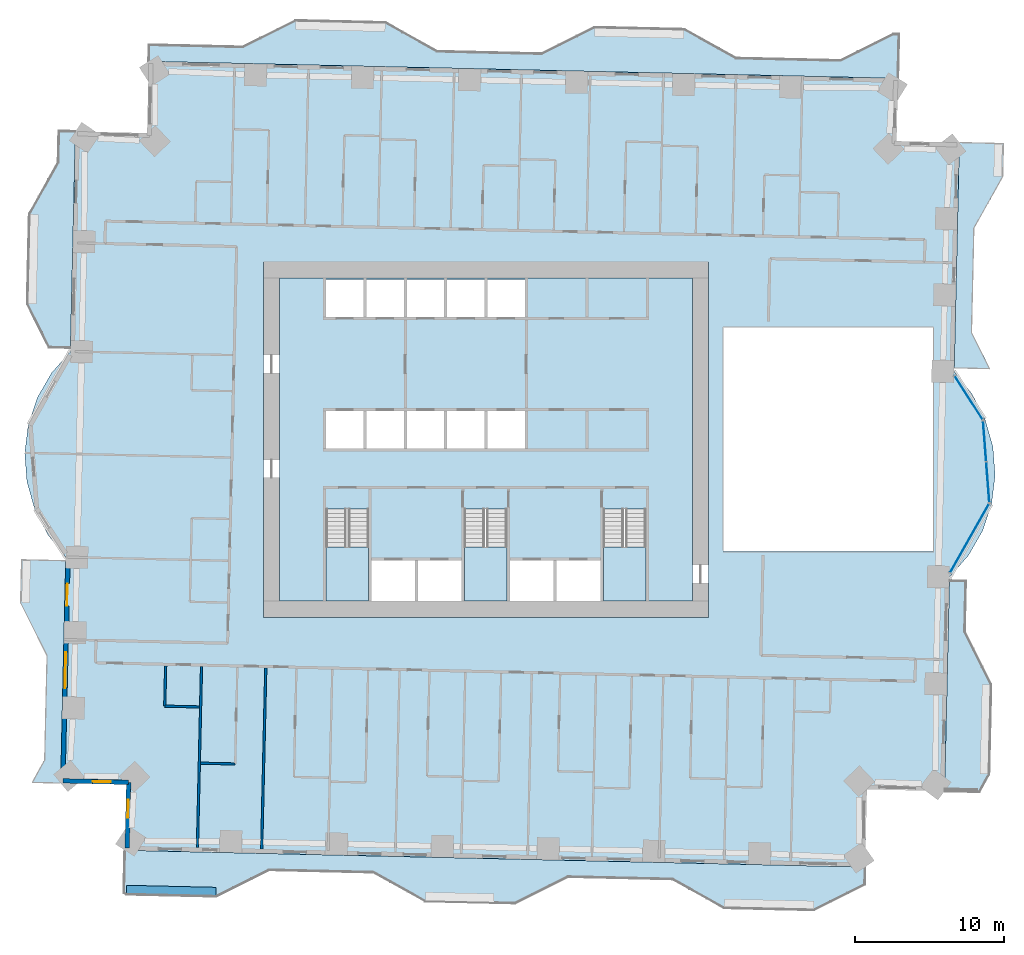
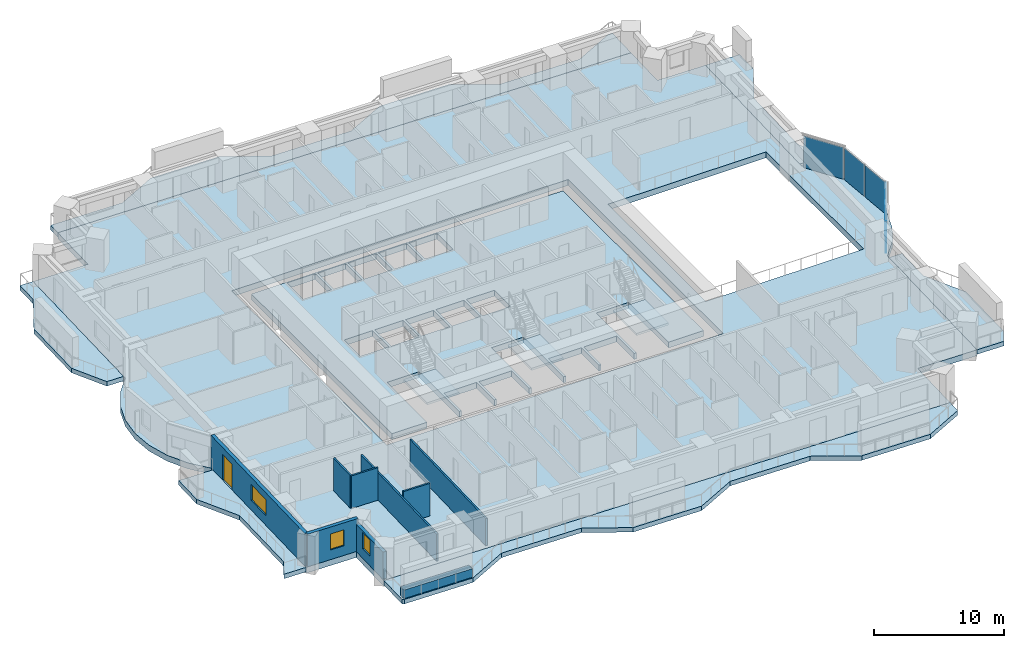
# One storey, part 7 of 20: 11 slabs, 9 walls, 4 plates, 3 windows, 1 door, 4 openings, 6 elements without a shape of their own.
"""IFC4 building model written with IfcOpenShell, lengths in metres."""

from ifc_helpers import new_model, si_unit, direction, frame, frame_2d, origin, origin_2d, place, context, subcontext, project, spatial, polyline, rectangle, outline, extrude, material, layer, layer_set, type_object, element, fill, aggregate, save


model = new_model("IFC4")

# Units and contexts
model_context = context("Model", 3, precision=1e-05, world=origin(), true_north=direction((0.0, 1.0)))
body_context = subcontext(model_context, "Body", "Model", "MODEL_VIEW")
ifc_project = project(units=[si_unit("LENGTHUNIT", "METRE"), si_unit("AREAUNIT", "SQUARE_METRE"), si_unit("VOLUMEUNIT", "CUBIC_METRE"), si_unit("PLANEANGLEUNIT", "RADIAN"), si_unit("MASSUNIT", "GRAM", prefix="KILO")], contexts=[model_context])

# Site, building, storey
site_placement = place(None, origin())
site = spatial("IfcSite", under=ifc_project, at=site_placement, CompositionType="ELEMENT")
building_placement = place(site_placement, origin())
building = spatial("IfcBuilding", under=site, at=building_placement, Name="Mangrove Gate Tower", CompositionType="ELEMENT")
storey_placement = place(building_placement, frame((0.0, 0.0, 60.300048828125)))
storey = spatial("IfcBuildingStorey", under=building, at=storey_placement, Name="L14", CompositionType="ELEMENT", Elevation=60.300048828125)

# Curtain wall, plate
ifc_material_1 = material(Name="Aluminium and glass curtain wall", Category="aluminium")
curtain_wall_type = type_object("IfcCurtainWallType", Name="Atrium garden-court glazing wall", PredefinedType="NOTDEFINED", material=ifc_material_1)
curtain_wall_1_placement = place(storey_placement, origin())
curtain_wall_1 = element("IfcCurtainWall", 1, at=curtain_wall_1_placement, inside=storey, type_object=curtain_wall_type, Name="Atrium garden-court glazing E1f1", PredefinedType="NOTDEFINED")
ifc_material_2 = material(Name="Laminated low-e glass", Category="glass")
ifc_layer_1 = layer(ifc_material_2, 0.031982421875)
ifc_layer_set_1 = layer_set([ifc_layer_1], Name="Atrium garden-court glazing panel 32")
plate_type = type_object("IfcPlateType", Name="Atrium garden-court glazing panel 32", PredefinedType="CURTAIN_PANEL", material=ifc_layer_set_1)
plate_1_placement = place(storey_placement, frame((32.34912109375, -6.600830078125, 0.0), z_axis=(0.0, 0.0, 1.0), x_axis=(0.492603686489, 0.870253760726, 0.0)))
plate_1 = element("IfcPlate", 2, at=plate_1_placement, type_object=plate_type, Name="CWA panel 1.1", PredefinedType="CURTAIN_PANEL", context=body_context, shape_type="SweptSolid", body=[
    extrude(rectangle(XDim=5.258544921875, YDim=0.031982421875, at=origin_2d()), origin(), (0.0, 0.0, 1.0), 2.97998046875),
])
aggregate(curtain_wall_1, [plate_1])

# Curtain wall, plates
curtain_wall_2_placement = place(storey_placement, origin())
curtain_wall_2 = element("IfcCurtainWall", 3, at=curtain_wall_2_placement, inside=storey, type_object=curtain_wall_type, Name="Atrium garden-court glazing E1f2", PredefinedType="NOTDEFINED")
plate_2_placement = place(storey_placement, frame((33.5703125, -2.84521484375, 0.0), z_axis=(0.0, 0.0, 1.0), x_axis=(-0.077023348212, 0.997029289354, 0.0)))
plate_2 = element("IfcPlate", 4, at=plate_2_placement, type_object=plate_type, Name="CWA panel 1.1", PredefinedType="CURTAIN_PANEL", context=body_context, shape_type="SweptSolid", body=[
    extrude(rectangle(XDim=2.681640625, YDim=0.031982421875, at=origin_2d()), origin(), (0.0, 0.0, 1.0), 2.97998046875),
])
plate_3_placement = place(storey_placement, frame((33.3583984375, -0.1015625, 0.0), z_axis=(0.0, 0.0, 1.0), x_axis=(-0.077023348212, 0.997029289354, 0.0)))
plate_3 = element("IfcPlate", 5, at=plate_3_placement, type_object=plate_type, Name="CWA panel 2.1", PredefinedType="CURTAIN_PANEL", context=body_context, shape_type="SweptSolid", body=[
    extrude(rectangle(XDim=2.681640625, YDim=0.031982421875, at=origin_2d()), origin(), (0.0, 0.0, 1.0), 2.97998046875),
])
aggregate(curtain_wall_2, [plate_2, plate_3])

# Curtain wall, plate
curtain_wall_3_placement = place(storey_placement, origin())
curtain_wall_3 = element("IfcCurtainWall", 6, at=curtain_wall_3_placement, inside=storey, type_object=curtain_wall_type, Name="Atrium garden-court glazing E1f3", PredefinedType="NOTDEFINED")
plate_4_placement = place(storey_placement, frame((32.284912109375, 2.806396484375, 0.0), z_axis=(0.0, 0.0, 1.0), x_axis=(-0.540524576597, 0.841328224948, 0.0)))
plate_4 = element("IfcPlate", 7, at=plate_4_placement, type_object=plate_type, Name="CWA panel 1.1", PredefinedType="CURTAIN_PANEL", context=body_context, shape_type="SweptSolid", body=[
    extrude(rectangle(XDim=3.42919921875, YDim=0.031982421875, at=origin_2d()), origin(), (0.0, 0.0, 1.0), 2.97998046875),
])
aggregate(curtain_wall_3, [plate_4])

# Slabs
ifc_material_3 = material(Name="Porcelain tile")
ifc_layer_2 = layer(ifc_material_3, 0.02001953125, Name="Tile finish")
ifc_material_4 = material(Name="Cement sand screed")
ifc_layer_3 = layer(ifc_material_4, 0.0400390625, Name="Screed laid to falls")
ifc_material_5 = material(Name="Bituminous waterproofing membrane")
ifc_layer_4 = layer(ifc_material_5, 0.00390625, Name="Waterproofing")
ifc_material_6 = material(Name="Concrete C40/50", Category="concrete")
ifc_layer_5 = layer(ifc_material_6, 0.340087890625, Name="Balcony structural slab")
ifc_material_7 = material(Name="Limestone", Category="masonry")
ifc_layer_6 = layer(ifc_material_7, 0.01611328125, Name="Soffit lining")
ifc_layer_set_2 = layer_set([ifc_layer_2, ifc_layer_3, ifc_layer_4, ifc_layer_5, ifc_layer_6], Name="Balcony slab 420 C40/50")
slab_type_1 = type_object("IfcSlabType", Name="Balcony slab 420 C40/50", PredefinedType="FLOOR", material=ifc_layer_set_2)
slab_1_placement = place(storey_placement, frame((0.0, 0.0, -0.420166015625)))
element("IfcSlab", 8, at=slab_1_placement, inside=storey, type_object=slab_type_1, Name="BALCONY L14 E0", PredefinedType="FLOOR", context=body_context, shape_type="SweptSolid", body=[
    extrude(outline(polyline([(33.034912109375, -23.569091796875), (33.696044921875, -22.384033203125), (33.83203125, -16.385009765625), (32.06201171875, -12.843994140625), (32.137939453125, -9.469970703125), (30.9990234375, -9.444091796875), (30.922119140625, -12.818115234375), (30.843017578125, -16.31689453125), (30.70703125, -22.31591796875), (30.678955078125, -23.514892578125), (33.034912109375, -23.569091796875)])), origin(), (0.0, 0.0, 1.0), 0.420166015625),
])
slab_2_placement = place(storey_placement, frame((0.0, 0.0, -0.420166015625)))
element("IfcSlab", 9, at=slab_2_placement, inside=storey, type_object=slab_type_1, Name="BALCONY L14 E1", PredefinedType="FLOOR", context=body_context, shape_type="SweptSolid", body=[
    extrude(outline(polyline([(33.717041015625, 4.748046875), (32.51611328125, 7.15087890625), (32.674072265625, 14.14892578125), (34.60302734375, 17.60595703125), (34.653076171875, 19.805908203125), (31.6640625, 19.873046875), (31.614013671875, 17.674072265625), (31.534912109375, 14.175048828125), (31.3759765625, 7.177001953125), (31.322021484375, 4.802978515625), (33.717041015625, 4.748046875)])), origin(), (0.0, 0.0, 1.0), 0.420166015625),
])
slab_3_placement = place(storey_placement, frame((0.0, 0.0, -0.420166015625)))
element("IfcSlab", 10, at=slab_3_placement, inside=storey, type_object=slab_type_1, Name="BALCONY L14 N0", PredefinedType="FLOOR", context=body_context, shape_type="SweptSolid", body=[
    extrude(outline(polyline([(27.6279296875, 27.156982421875), (27.260009765625, 27.1650390625), (23.718994140625, 25.39501953125), (16.720947265625, 25.553955078125), (13.263916015625, 27.48291015625), (7.264892578125, 27.618896484375), (3.72412109375, 25.84912109375), (-3.27392578125, 26.008056640625), (-6.73095703125, 27.93701171875), (-12.72900390625, 28.072998046875), (-16.27001953125, 26.303955078125), (-22.537109375, 26.445068359375), (-22.56298828125, 25.304931640625), (27.56005859375, 24.16796875), (27.6279296875, 27.156982421875)])), origin(), (0.0, 0.0, 1.0), 0.420166015625),
])
slab_4_placement = place(storey_placement, frame((0.0, 0.0, -0.420166015625)))
element("IfcSlab", 11, at=slab_4_placement, inside=storey, type_object=slab_type_1, Name="BALCONY L14 W0", PredefinedType="FLOOR", context=body_context, shape_type="SweptSolid", body=[
    extrude(outline(polyline([(-28.610107421875, 20.64111328125), (-28.657958984375, 18.5419921875), (-30.5869140625, 15.0849609375), (-30.722900390625, 9.0859375), (-29.26904296875, 6.177978515625), (-27.799072265625, 6.14404296875), (-27.73388671875, 9.01806640625), (-27.596923828125, 15.01708984375), (-27.51806640625, 18.51611328125), (-27.469970703125, 20.614990234375), (-28.610107421875, 20.64111328125)])), origin(), (0.0, 0.0, 1.0), 0.420166015625),
])
slab_5_placement = place(storey_placement, frame((0.0, 0.0, -0.420166015625)))
element("IfcSlab", 12, at=slab_5_placement, inside=storey, type_object=slab_type_1, Name="BALCONY L14 W1", PredefinedType="FLOOR", context=body_context, shape_type="SweptSolid", body=[
    extrude(outline(polyline([(-31.111083984375, -8.034912109375), (-31.176025390625, -10.908935546875), (-29.406005859375, -14.449951171875), (-29.56494140625, -21.447998046875), (-30.39208984375, -22.929931640625), (-28.4599609375, -22.97412109375), (-28.425048828125, -21.47412109375), (-28.26708984375, -14.47607421875), (-28.18701171875, -10.97705078125), (-28.1220703125, -8.10302734375), (-31.111083984375, -8.034912109375)])), origin(), (0.0, 0.0, 1.0), 0.420166015625),
])
slab_6_placement = place(storey_placement, frame((0.0, 0.0, -0.420166015625)))
element("IfcSlab", 13, at=slab_6_placement, inside=storey, type_object=slab_type_1, Name="BALCONY L14 S0", PredefinedType="FLOOR", context=body_context, shape_type="SweptSolid", body=[
    extrude(outline(polyline([(-24.22607421875, -30.373046875), (-24.06005859375, -30.465087890625), (-18.06201171875, -30.60107421875), (-14.52099609375, -28.8310546875), (-7.52294921875, -28.989990234375), (-4.06494140625, -30.9189453125), (1.93310546875, -31.054931640625), (5.47412109375, -29.285888671875), (12.471923828125, -29.444091796875), (15.928955078125, -31.373046875), (21.927978515625, -31.509033203125), (25.3349609375, -29.805908203125), (25.363037109375, -28.595947265625), (-24.159912109375, -27.471923828125), (-24.22607421875, -30.373046875)])), origin(), (0.0, 0.0, 1.0), 0.420166015625),
])
ifc_material_8 = material(Name="Concrete C40/50", Category="concrete")
ifc_layer_7 = layer(ifc_material_8, 0.550048828125)
ifc_layer_set_3 = layer_set([ifc_layer_7], Name="Core floor slab 550 C40/50")
slab_type_2 = type_object("IfcSlabType", Name="Core floor slab 550 C40/50", PredefinedType="FLOOR", material=ifc_layer_set_3)
slab_7_placement = place(storey_placement, frame((0.0, 0.0, -0.550048828125)))
element("IfcSlab", 14, at=slab_7_placement, inside=storey, type_object=slab_type_2, Name="SLAB-L14-CORE-1", PredefinedType="FLOOR", context=body_context, shape_type="SweptSolid", body=[
    extrude(outline(polyline([(-13.800048828125, -10.800048828125), (-13.800048828125, 10.800048828125), (13.800048828125, 10.800048828125), (13.800048828125, -10.800048828125), (10.699951171875, -10.800048828125), (10.699951171875, -4.653076171875), (7.85009765625, -4.653076171875), (7.85009765625, -10.800048828125), (7.64990234375, -10.800048828125), (7.64990234375, -8.10009765625), (4.72509765625, -8.10009765625), (4.72509765625, -10.800048828125), (4.52490234375, -10.800048828125), (4.52490234375, -8.10009765625), (1.60009765625, -8.10009765625), (1.60009765625, -10.800048828125), (1.39990234375, -10.800048828125), (1.39990234375, -4.653076171875), (-1.449951171875, -4.653076171875), (-1.449951171875, -10.800048828125), (-1.64990234375, -10.800048828125), (-1.64990234375, -8.10009765625), (-4.550048828125, -8.10009765625), (-4.550048828125, -10.800048828125), (-4.75, -10.800048828125), (-4.75, -8.10009765625), (-7.64990234375, -8.10009765625), (-7.64990234375, -10.800048828125), (-7.85009765625, -10.800048828125), (-7.85009765625, -4.653076171875), (-10.699951171875, -4.653076171875), (-10.699951171875, -10.800048828125), (-13.800048828125, -10.800048828125)]), holes=[polyline([(-8.199951171875, -0.60009765625), (-8.199951171875, 1.89990234375), (-10.699951171875, 1.89990234375), (-10.699951171875, -0.60009765625), (-8.199951171875, -0.60009765625)]), polyline([(-5.5, -0.60009765625), (-5.5, 1.89990234375), (-8.0, 1.89990234375), (-8.0, -0.60009765625), (-5.5, -0.60009765625)]), polyline([(-2.800048828125, -0.60009765625), (-2.800048828125, 1.89990234375), (-5.300048828125, 1.89990234375), (-5.300048828125, -0.60009765625), (-2.800048828125, -0.60009765625)]), polyline([(-8.199951171875, 8.199951171875), (-8.199951171875, 10.699951171875), (-10.699951171875, 10.699951171875), (-10.699951171875, 8.199951171875), (-8.199951171875, 8.199951171875)]), polyline([(-5.5, 8.199951171875), (-5.5, 10.699951171875), (-8.0, 10.699951171875), (-8.0, 8.199951171875), (-5.5, 8.199951171875)]), polyline([(-2.800048828125, 8.199951171875), (-2.800048828125, 10.699951171875), (-5.300048828125, 10.699951171875), (-5.300048828125, 8.199951171875), (-2.800048828125, 8.199951171875)]), polyline([(-0.10009765625, -0.60009765625), (-0.10009765625, 1.89990234375), (-2.60009765625, 1.89990234375), (-2.60009765625, -0.60009765625), (-0.10009765625, -0.60009765625)]), polyline([(2.60009765625, -0.60009765625), (2.60009765625, 1.89990234375), (0.10009765625, 1.89990234375), (0.10009765625, -0.60009765625), (2.60009765625, -0.60009765625)]), polyline([(-2.60009765625, 8.199951171875), (-0.10009765625, 8.199951171875), (-0.10009765625, 10.699951171875), (-2.60009765625, 10.699951171875), (-2.60009765625, 8.199951171875)]), polyline([(0.10009765625, 8.199951171875), (2.60009765625, 8.199951171875), (2.60009765625, 10.699951171875), (0.10009765625, 10.699951171875), (0.10009765625, 8.199951171875)])]), origin(), (0.0, 0.0, 1.0), 0.550048828125),
])

# Stair, slab
ifc_material_9 = material(Name="Concrete C40/50", Category="concrete")
stair_type = type_object("IfcStairType", Name="Core stair 1350", PredefinedType="HALF_TURN_STAIR", material=ifc_material_9)
stair_1_placement = place(storey_placement, origin())
stair_1 = element("IfcStair", 15, at=stair_1_placement, inside=storey, type_object=stair_type, Name="L14 Stair 1", PredefinedType="HALF_TURN_STAIR")
ifc_material_10 = material(Name="Concrete C40/50", Category="concrete")
ifc_layer_8 = layer(ifc_material_10, 0.199951171875)
ifc_layer_set_4 = layer_set([ifc_layer_8], Name="Core stair landing 200")
slab_type_3 = type_object("IfcSlabType", Name="Core stair landing 200", PredefinedType="LANDING", material=ifc_layer_set_4)
slab_8_placement = place(storey_placement, frame((0.0, 0.0, 1.599853515625)))
slab_8 = element("IfcSlab", 16, at=slab_8_placement, type_object=slab_type_3, Name="ST1 landing 1", PredefinedType="LANDING", context=body_context, shape_type="SweptSolid", body=[
    extrude(outline(polyline([(-10.699951171875, -7.169921875), (-10.699951171875, -10.800048828125), (-7.85009765625, -10.800048828125), (-7.85009765625, -7.169921875), (-10.699951171875, -7.169921875)])), origin(), (0.0, 0.0, 1.0), 0.2001953125),
])
aggregate(stair_1, [slab_8])

stair_2_placement = place(storey_placement, origin())
stair_2 = element("IfcStair", 17, at=stair_2_placement, inside=storey, type_object=stair_type, Name="L14 Stair 2", PredefinedType="HALF_TURN_STAIR")
slab_9_placement = place(storey_placement, frame((0.0, 0.0, 1.599853515625)))
slab_9 = element("IfcSlab", 18, at=slab_9_placement, type_object=slab_type_3, Name="ST2 landing 1", PredefinedType="LANDING", context=body_context, shape_type="SweptSolid", body=[
    extrude(outline(polyline([(-1.449951171875, -7.169921875), (-1.449951171875, -10.800048828125), (1.39990234375, -10.800048828125), (1.39990234375, -7.169921875), (-1.449951171875, -7.169921875)])), origin(), (0.0, 0.0, 1.0), 0.2001953125),
])
aggregate(stair_2, [slab_9])

stair_3_placement = place(storey_placement, origin())
stair_3 = element("IfcStair", 19, at=stair_3_placement, inside=storey, type_object=stair_type, Name="L14 Stair 3", PredefinedType="HALF_TURN_STAIR")
slab_10_placement = place(storey_placement, frame((0.0, 0.0, 1.599853515625)))
slab_10 = element("IfcSlab", 20, at=slab_10_placement, type_object=slab_type_3, Name="ST3 landing 1", PredefinedType="LANDING", context=body_context, shape_type="SweptSolid", body=[
    extrude(outline(polyline([(7.85009765625, -7.169921875), (7.85009765625, -10.800048828125), (10.699951171875, -10.800048828125), (10.699951171875, -7.169921875), (7.85009765625, -7.169921875)])), origin(), (0.0, 0.0, 1.0), 0.2001953125),
])
aggregate(stair_3, [slab_10])

# Slab
ifc_material_11 = material(Name="Concrete C40/50", Category="concrete")
ifc_layer_9 = layer(ifc_material_11, 0.550048828125)
ifc_layer_set_5 = layer_set([ifc_layer_9], Name="Floor slab 550 C40/50")
slab_type_4 = type_object("IfcSlabType", Name="Floor slab 550 C40/50", PredefinedType="FLOOR", material=ifc_layer_set_5)
slab_11_placement = place(storey_placement, frame((0.0, 0.0, -0.550048828125)))
element("IfcSlab", 21, at=slab_11_placement, inside=storey, type_object=slab_type_4, Name="Floor slab L14", PredefinedType="FLOOR", context=body_context, shape_type="SweptSolid", body=[
    extrude(outline(polyline([(-24.160400390625, -27.47216796875), (25.36279296875, -28.595947265625), (25.480712890625, -23.3974609375), (30.679443359375, -23.515380859375), (31.00439453125, -9.1943359375), (32.267333984375, -7.7578125), (33.220458984375, -6.099365234375), (33.825927734375, -4.28515625), (34.0595703125, -2.38671875), (33.912353515625, -0.4794921875), (33.389892578125, 1.360595703125), (32.512939453125, 3.060302734375), (31.31640625, 4.552734375), (31.6640625, 19.87353515625), (27.465087890625, 19.96875), (27.560302734375, 24.167724609375), (-22.562744140625, 25.30517578125), (-22.671630859375, 20.50634765625), (-27.470458984375, 20.615234375), (-27.804443359375, 5.894287109375), (-29.0673828125, 4.457763671875), (-30.0205078125, 2.799560546875), (-30.6259765625, 0.985107421875), (-30.859619140625, -0.913330078125), (-30.71240234375, -2.820556640625), (-30.18994140625, -4.660400390625), (-29.31298828125, -6.3603515625), (-28.116455078125, -7.852783203125), (-28.45947265625, -22.9736328125), (-24.060546875, -23.0732421875), (-24.160400390625, -27.47216796875)]), holes=[polyline([(15.89990234375, 7.5), (29.889892578125, 7.5), (29.889892578125, -7.5), (15.89990234375, -7.5), (15.89990234375, 7.5)]), polyline([(-14.89990234375, -11.89990234375), (-14.89990234375, 11.89990234375), (14.89990234375, 11.89990234375), (14.89990234375, -11.89990234375), (-14.89990234375, -11.89990234375)])]), origin(), (0.0, 0.0, 1.0), 0.550048828125),
])

# Wall, openings, door, window
ifc_layer_10 = layer(ifc_material_7, 0.0400390625, Name="Limestone cladding")
ifc_material_12 = material(Name="Ventilated air gap")
ifc_layer_11 = layer(ifc_material_12, 0.0400390625, Name="Ventilated cavity")
ifc_material_13 = material(Name="Mineral wool insulation")
ifc_layer_12 = layer(ifc_material_13, 0.06005859375, Name="Insulation")
ifc_material_14 = material(Name="Breather membrane")
ifc_layer_13 = layer(ifc_material_14, 0.001953125, Name="Breather membrane")
ifc_material_15 = material(Name="Concrete C20/25 blockwork", Category="masonry")
ifc_layer_14 = layer(ifc_material_15, 0.14990234375, Name="Blockwork backing wall")
ifc_material_16 = material(Name="Gypsum plaster")
ifc_layer_15 = layer(ifc_material_16, 0.008056640625, Name="Internal plaster")
ifc_layer_set_6 = layer_set([ifc_layer_10, ifc_layer_11, ifc_layer_12, ifc_layer_13, ifc_layer_14, ifc_layer_15], Name="External wall 300 limestone cladding")
wall_type_1 = type_object("IfcWallType", Name="External wall 300 limestone cladding", PredefinedType="SOLIDWALL", material=ifc_layer_set_6)
wall_1_placement = place(storey_placement, frame((-27.965087890625, -7.802001953125, 0.0), z_axis=(0.0, 0.0, 1.0), x_axis=(-0.02267786199, -0.999742824218, 0.0)))
wall_1 = element("IfcWall", 22, at=wall_1_placement, inside=storey, type_object=wall_type_1, Name="WALL-L14-W10", PredefinedType="SOLIDWALL", context=body_context, shape_type="SweptSolid", body=[
    extrude(rectangle(XDim=15.02880859375, YDim=0.300048828125, at=frame_2d((7.514404296875, 0.0))), origin(), (0.0, 0.0, 1.0), 3.050048828125),
])
opening_1_placement = place(wall_1_placement, frame((1.825927734375, 0.0, 0.0)))
opening_1 = element("IfcOpeningElement", 23, at=opening_1_placement, cuts=wall_1, Name="Opening BD1", PredefinedType="OPENING", context=body_context, shape_type="SweptSolid", body=[
    extrude(rectangle(XDim=1.5, YDim=2.39990234375, at=frame_2d((0.75, 1.199951171875))), frame((0.0, 0.159912109375, 0.0), z_axis=(0.0, -1.0, 0.0), x_axis=(1.0, 0.0, 0.0)), (0.0, 0.0, 1.0), 0.320068359375),
])
opening_2_placement = place(wall_1_placement, frame((6.4169921875, 0.0, 0.89990234375)))
opening_2 = element("IfcOpeningElement", 24, at=opening_2_placement, cuts=wall_1, Name="Opening W2", PredefinedType="OPENING", context=body_context, shape_type="SweptSolid", body=[
    extrude(rectangle(XDim=2.39990234375, YDim=1.5, at=frame_2d((1.199951171875, 0.75))), frame((0.0, 0.159912109375, 0.0), z_axis=(0.0, -1.0, 0.0), x_axis=(1.0, 0.0, 0.0)), (0.0, 0.0, 1.0), 0.320068359375),
])
ifc_material_17 = material(Name="Aluminium frame with laminated clear glass", Category="aluminium")
door_type = type_object("IfcDoorType", Name="Balcony sliding door 1500x2400", OperationType="SLIDING_TO_LEFT", PredefinedType="DOOR", material=ifc_material_17)
door_placement = place(opening_1_placement, origin())
door = element("IfcDoor", 25, at=door_placement, inside=storey, type_object=door_type, Name="DOOR-L14-W10-1", OperationType="SLIDING_TO_LEFT", OverallHeight=2.39990234375, OverallWidth=1.5, PredefinedType="DOOR", context=body_context, shape_type="SweptSolid", body=[
    extrude(rectangle(XDim=1.5, YDim=2.39990234375, at=frame_2d((0.75, 1.199951171875))), frame((0.0, 0.02490234375, 0.0), z_axis=(0.0, -1.0, 0.0), x_axis=(1.0, 0.0, 0.0)), (0.0, 0.0, 1.0), 0.050048828125),
])
fill(opening_1, door)
ifc_material_18 = material(Name="Aluminium frame with double-glazed low-e glass", Category="aluminium")
window_type_1 = type_object("IfcWindowType", Name="Corner room window 2400x1500", PartitioningType="DOUBLE_PANEL_VERTICAL", PredefinedType="WINDOW", material=ifc_material_18)
window_1_placement = place(opening_2_placement, origin())
window_1 = element("IfcWindow", 26, at=window_1_placement, inside=storey, type_object=window_type_1, Name="WIN-L14-W10-2", OverallHeight=1.5, OverallWidth=2.39990234375, PartitioningType="DOUBLE_PANEL_VERTICAL", PredefinedType="WINDOW", context=body_context, shape_type="SweptSolid", body=[
    extrude(rectangle(XDim=2.39990234375, YDim=1.5, at=frame_2d((1.199951171875, 0.75))), frame((0.0, 0.030029296875, 0.0), z_axis=(0.0, -1.0, 0.0), x_axis=(1.0, 0.0, 0.0)), (0.0, 0.0, 1.0), 0.06005859375),
])
fill(opening_2, window_1)

# Wall, opening, window
wall_2_placement = place(storey_placement, frame((-28.305908203125, -22.826904296875, 0.0), z_axis=(0.0, 0.0, 1.0), x_axis=(0.999741204967, -0.022749133868, 0.0)))
wall_2 = element("IfcWall", 27, at=wall_2_placement, inside=storey, type_object=wall_type_1, Name="WALL-L14-S11", PredefinedType="SOLIDWALL", context=body_context, shape_type="SweptSolid", body=[
    extrude(rectangle(XDim=4.400146484375, YDim=0.300048828125, at=frame_2d((2.2001953125, 0.0))), origin(), (0.0, 0.0, 1.0), 3.050048828125),
])
opening_3_placement = place(wall_2_placement, frame((1.99609375, 0.0, 0.89990234375)))
opening_3 = element("IfcOpeningElement", 28, at=opening_3_placement, cuts=wall_2, Name="Opening W1", PredefinedType="OPENING", context=body_context, shape_type="SweptSolid", body=[
    extrude(rectangle(XDim=1.199951171875, YDim=1.5, at=frame_2d((0.60009765625, 0.75))), frame((0.0, 0.159912109375, 0.0), z_axis=(0.0, -1.0, 0.0), x_axis=(1.0, 0.0, 0.0)), (0.0, 0.0, 1.0), 0.320068359375),
])
ifc_material_19 = material(Name="Aluminium frame with double-glazed low-e glass", Category="aluminium")
window_type_2 = type_object("IfcWindowType", Name="Side lite 1200x1500", PartitioningType="SINGLE_PANEL", PredefinedType="WINDOW", material=ifc_material_19)
window_2_placement = place(opening_3_placement, origin())
window_2 = element("IfcWindow", 29, at=window_2_placement, inside=storey, type_object=window_type_2, Name="WIN-L14-S11-1", OverallHeight=1.5, OverallWidth=1.199951171875, PartitioningType="SINGLE_PANEL", PredefinedType="WINDOW", context=body_context, shape_type="SweptSolid", body=[
    extrude(rectangle(XDim=1.199951171875, YDim=1.5, at=frame_2d((0.60009765625, 0.75))), frame((0.0, 0.030029296875, 0.0), z_axis=(0.0, -1.0, 0.0), x_axis=(1.0, 0.0, 0.0)), (0.0, 0.0, 1.0), 0.06005859375),
])
fill(opening_3, window_2)

wall_3_placement = place(storey_placement, frame((-23.906982421875, -22.927001953125, 0.0), z_axis=(0.0, 0.0, 1.0), x_axis=(-0.022749133868, -0.999741204967, 0.0)))
wall_3 = element("IfcWall", 30, at=wall_3_placement, inside=storey, type_object=wall_type_1, Name="WALL-L14-W12", PredefinedType="SOLIDWALL", context=body_context, shape_type="SweptSolid", body=[
    extrude(rectangle(XDim=4.400146484375, YDim=0.300048828125, at=frame_2d((2.2001953125, 0.0))), origin(), (0.0, 0.0, 1.0), 2.550048828125),
])
opening_4_placement = place(wall_3_placement, frame((1.179931640625, 0.0, 0.89990234375)))
opening_4 = element("IfcOpeningElement", 31, at=opening_4_placement, cuts=wall_3, Name="Opening W1", PredefinedType="OPENING", context=body_context, shape_type="SweptSolid", body=[
    extrude(rectangle(XDim=1.199951171875, YDim=1.5, at=frame_2d((0.60009765625, 0.75))), frame((0.0, 0.159912109375, 0.0), z_axis=(0.0, -1.0, 0.0), x_axis=(1.0, 0.0, 0.0)), (0.0, 0.0, 1.0), 0.320068359375),
])
window_3_placement = place(opening_4_placement, origin())
window_3 = element("IfcWindow", 32, at=window_3_placement, inside=storey, type_object=window_type_2, Name="WIN-L14-W12-1", OverallHeight=1.5, OverallWidth=1.199951171875, PartitioningType="SINGLE_PANEL", PredefinedType="WINDOW", context=body_context, shape_type="SweptSolid", body=[
    extrude(rectangle(XDim=1.199951171875, YDim=1.5, at=frame_2d((0.60009765625, 0.75))), frame((0.0, 0.030029296875, 0.0), z_axis=(0.0, -1.0, 0.0), x_axis=(1.0, 0.0, 0.0)), (0.0, 0.0, 1.0), 0.06005859375),
])
fill(opening_4, window_3)

# Walls
ifc_material_20 = material(Name="Gypsum board on steel stud, EI 60", Category="steel")
ifc_layer_16 = layer(ifc_material_20, 0.14990234375)
ifc_layer_set_7 = layer_set([ifc_layer_16], Name="Party wall 150 EI 60")
wall_type_2 = type_object("IfcWallType", Name="Party wall 150 EI 60", PredefinedType="PARTITIONING", material=ifc_layer_set_7)
wall_4_placement = place(storey_placement, frame((-19.306884765625, -27.282958984375, 0.0), z_axis=(0.0, 0.0, 1.0), x_axis=(0.022717280737, 0.999741929278, 0.0)))
element("IfcWall", 33, at=wall_4_placement, inside=storey, type_object=wall_type_2, Name="WALL-L14-001", PredefinedType="PARTITIONING", context=body_context, shape_type="SweptSolid", body=[
    extrude(rectangle(XDim=12.10107421875, YDim=0.14990234375, at=frame_2d((6.050537109375, 0.0))), origin(), (0.0, 0.0, 1.0), 2.550048828125),
])
wall_5_placement = place(storey_placement, frame((-15.008056640625, -27.3798828125, 0.0), z_axis=(0.0, 0.0, 1.0), x_axis=(0.02273928012, 0.99974142914, 0.0)))
element("IfcWall", 34, at=wall_5_placement, inside=storey, type_object=wall_type_2, Name="WALL-L14-002", PredefinedType="PARTITIONING", context=body_context, shape_type="SweptSolid", body=[
    extrude(rectangle(XDim=12.10009765625, YDim=0.14990234375, at=frame_2d((6.050048828125, 0.0))), origin(), (0.0, 0.0, 1.0), 2.550048828125),
])
wall_6_placement = place(storey_placement, frame((-19.10205078125, -21.64501953125, 0.0), z_axis=(0.0, 0.0, 1.0), x_axis=(0.999740260747, -0.02279059109, 0.0)))
element("IfcWall", 35, at=wall_6_placement, inside=storey, type_object=wall_type_2, Name="WALL-L14-025", PredefinedType="PARTITIONING", context=body_context, shape_type="SweptSolid", body=[
    extrude(rectangle(XDim=2.324462890625, YDim=0.14990234375, at=frame_2d((1.162109375, 0.0))), origin(), (0.0, 0.0, 1.0), 3.050048828125),
])
wall_7_placement = place(storey_placement, frame((-21.492919921875, -17.830078125, 0.0), z_axis=(0.0, 0.0, 1.0), x_axis=(0.02260842146, 0.999744396973, 0.0)))
element("IfcWall", 36, at=wall_7_placement, inside=storey, type_object=wall_type_2, Name="WALL-L14-029", PredefinedType="PARTITIONING", context=body_context, shape_type="SweptSolid", body=[
    extrude(rectangle(XDim=2.69970703125, YDim=0.14990234375, at=frame_2d((1.349853515625, 0.0))), origin(), (0.0, 0.0, 1.0), 3.050048828125),
])
wall_8_placement = place(storey_placement, frame((-21.490966796875, -17.830078125, 0.0), z_axis=(0.0, 0.0, 1.0), x_axis=(0.999740260747, -0.02279059109, 0.0)))
element("IfcWall", 37, at=wall_8_placement, inside=storey, type_object=wall_type_2, Name="WALL-L14-030", PredefinedType="PARTITIONING", context=body_context, shape_type="SweptSolid", body=[
    extrude(rectangle(XDim=2.324462890625, YDim=0.14990234375, at=frame_2d((1.162109375, 0.0))), origin(), (0.0, 0.0, 1.0), 3.050048828125),
])
ifc_material_21 = material(Name="Concrete C32/40", Category="concrete")
ifc_layer_17 = layer(ifc_material_21, 0.199951171875, Name="Planter trough wall")
ifc_layer_18 = layer(ifc_material_5, 0.0048828125, Name="Waterproofing")
ifc_material_22 = material(Name="Drainage board and gravel")
ifc_layer_19 = layer(ifc_material_22, 0.044921875, Name="Drainage layer")
ifc_material_23 = material(Name="Planting soil")
ifc_layer_20 = layer(ifc_material_23, 0.300048828125, Name="Growing medium")
ifc_layer_set_8 = layer_set([ifc_layer_17, ifc_layer_18, ifc_layer_19, ifc_layer_20], Name="Planter wall 550 C32/40")
wall_type_3 = type_object("IfcWallType", Name="Planter wall 550 C32/40", PredefinedType="USERDEFINED", material=ifc_layer_set_8)
wall_9_placement = place(storey_placement, frame((-24.052001953125, -30.090087890625, 0.0), z_axis=(0.0, 0.0, 1.0), x_axis=(0.999743094499, -0.022665943652, 0.0)))
element("IfcWall", 38, at=wall_9_placement, inside=storey, type_object=wall_type_3, Name="PLANTER L14 S0.1", ObjectType="PLANTER", PredefinedType="USERDEFINED", context=body_context, shape_type="SweptSolid", body=[
    extrude(rectangle(XDim=5.99951171875, YDim=0.550048828125, at=frame_2d((2.999755859375, 0.0))), origin(), (0.0, 0.0, 1.0), 0.800048828125),
])

save(model, "model.ifc")
